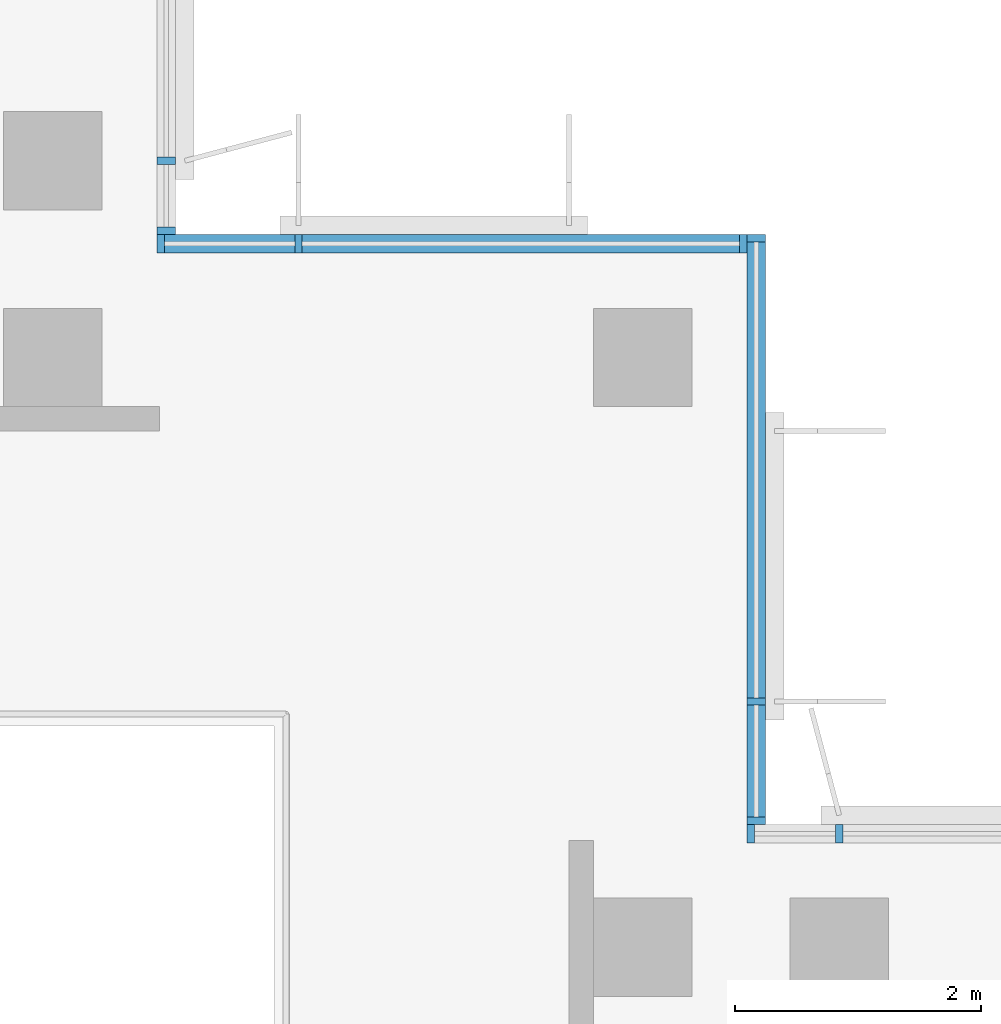
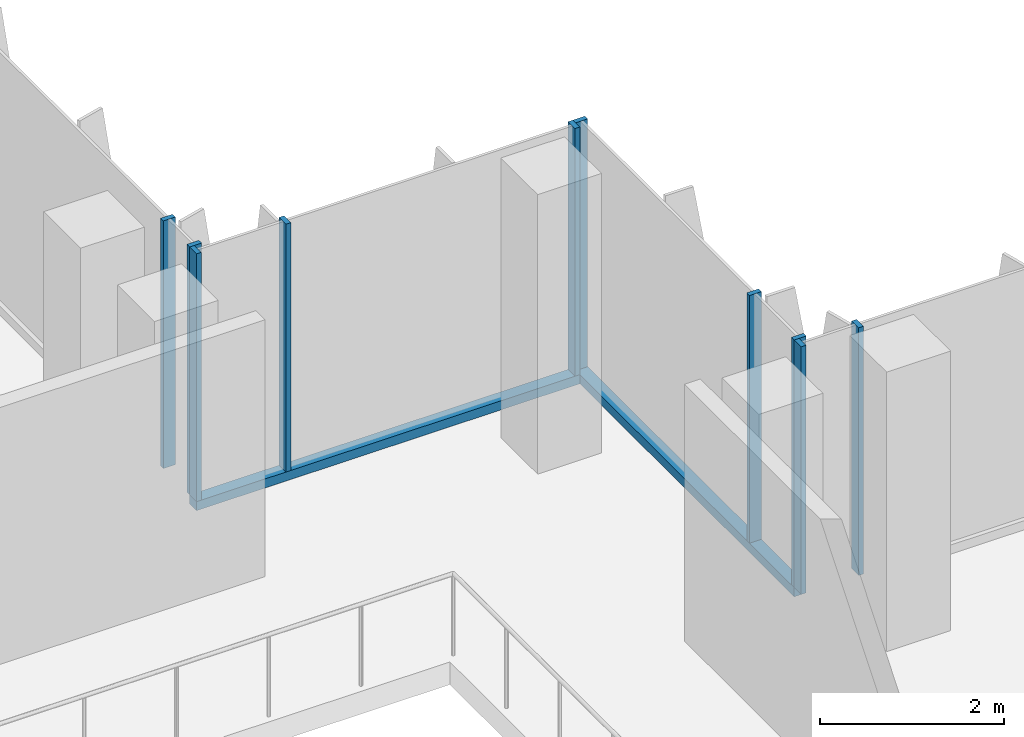
# One storey, part 2 of 15: 12 members, 4 elements without a shape of their own.
"""IFC4 building model written with IfcOpenShell, lengths in metres."""

from ifc_helpers import new_model, si_unit, direction, frame, origin, origin_2d, place, context, subcontext, project, spatial, rectangle, extrude, source, transform, mapped, material, material_profile, profile_set, type_object, element, aggregate, save


model = new_model("IFC4")

# Units and contexts
model_context = context("Model", 3, precision=1e-05, world=origin(), true_north=direction((0.0, 1.0)))
body_context = subcontext(model_context, "Body", "Model", "MODEL_VIEW")
ifc_project = project(units=[si_unit("LENGTHUNIT", "METRE"), si_unit("AREAUNIT", "SQUARE_METRE"), si_unit("VOLUMEUNIT", "CUBIC_METRE"), si_unit("PLANEANGLEUNIT", "RADIAN"), si_unit("MASSUNIT", "GRAM", prefix="KILO")], contexts=[model_context])

# Site, building, storey
site_placement = place(None, origin())
site = spatial("IfcSite", under=ifc_project, at=site_placement, CompositionType="ELEMENT")
building_placement = place(site_placement, origin())
building = spatial("IfcBuilding", under=site, at=building_placement, Name="Kemantara Hotel Tower", CompositionType="ELEMENT")
storey_placement = place(building_placement, frame((0.0, 0.0, 275.89990234375)))
storey = spatial("IfcBuildingStorey", under=building, at=storey_placement, Name="L69", CompositionType="ELEMENT", Elevation=275.89990234375)

# Curtain wall, member
ifc_material_1 = material(Name="Low-E tinted double insulated glass 36 mm", Category="glass")
curtain_wall_type = type_object("IfcCurtainWallType", Name="TOWER CURTAIN WALL, FRONT FACES", PredefinedType="USERDEFINED", material=ifc_material_1)
curtain_wall_1_placement = place(storey_placement, origin())
curtain_wall_1 = element("IfcCurtainWall", 1, at=curtain_wall_1_placement, inside=storey, type_object=curtain_wall_type, Name="CW4 L69 T4-R13-1", ObjectType="TOWER CURTAIN WALL, FRONT FACES", PredefinedType="USERDEFINED")
ifc_material_2 = material(Name="Aluminium 6063-T6 bronze anodised", Category="aluminium")
ifc_material_profile_1 = material_profile(ifc_material_2, rectangle(XDim=0.14990234375, YDim=0.1201171875, at=origin_2d()), Name="TOWER CURTAIN WALL, FRONT FACES TRANSOM")
ifc_profile_set_1 = profile_set([ifc_material_profile_1], Name="Aluminium 6063-T6 bronze anodised")
member_type_1 = type_object("IfcMemberType", Name="TOWER CURTAIN WALL, FRONT FACES TRANSOM", PredefinedType="USERDEFINED", material=ifc_profile_set_1)
member_1_placement = place(storey_placement, frame((26.72509765625, 22.0, 0.06005859375), z_axis=(0.0, 1.0, 0.0), x_axis=(-1.0, 0.0, 0.0)))
member_1 = element("IfcMember", 2, at=member_1_placement, type_object=member_type_1, Name="CW4 sill transom T4-R13-1", ObjectType="TRANSOM", PredefinedType="USERDEFINED", context=body_context, shape_type="SweptSolid", body=[
    extrude(rectangle(XDim=0.14990234375, YDim=0.1201171875, at=origin_2d()), origin(), (0.0, 0.0, 1.0), 4.800048828125),
])

curtain_wall_2_placement = place(storey_placement, origin())
curtain_wall_2 = element("IfcCurtainWall", 3, at=curtain_wall_2_placement, inside=storey, type_object=curtain_wall_type, Name="CW4 L69 T4-R14-1", ObjectType="TOWER CURTAIN WALL, FRONT FACES", PredefinedType="USERDEFINED")
member_2_placement = place(storey_placement, frame((26.64990234375, 26.72509765625, 0.06005859375), z_axis=(-1.0, 0.0, 0.0), x_axis=(0.0, -1.0, 0.0)))
member_2 = element("IfcMember", 4, at=member_2_placement, type_object=member_type_1, Name="CW4 sill transom T4-R14-1", ObjectType="TRANSOM", PredefinedType="USERDEFINED", context=body_context, shape_type="SweptSolid", body=[
    extrude(rectangle(XDim=0.14990234375, YDim=0.1201171875, at=origin_2d()), origin(), (0.0, 0.0, 1.0), 4.7998046875),
])

# Curtain wall, members
curtain_wall_3_placement = place(storey_placement, origin())
curtain_wall_3 = element("IfcCurtainWall", 5, at=curtain_wall_3_placement, inside=storey, type_object=curtain_wall_type, Name="CW4 L69 T4-R12-1", ObjectType="TOWER CURTAIN WALL, FRONT FACES", PredefinedType="USERDEFINED")
ifc_material_profile_2 = material_profile(ifc_material_2, rectangle(XDim=0.14990234375, YDim=0.06005859375, at=origin_2d()), Name="TOWER CURTAIN WALL, FRONT FACES MULLION")
ifc_profile_set_2 = profile_set([ifc_material_profile_2], Name="Aluminium 6063-T6 bronze anodised")
member_type_2 = type_object("IfcMemberType", Name="TOWER CURTAIN WALL, FRONT FACES MULLION", PredefinedType="MULLION", material=ifc_profile_set_2)
shared_shape = source(origin(), body_context, "Body", "SweptSolid", [
    extrude(rectangle(XDim=0.14990234375, YDim=0.06005859375, at=origin_2d()), origin(), (0.0, 0.0, 1.0), 3.280029296875),
])
member_3_placement = place(storey_placement, frame((27.39990234375, 21.925048828125, 0.1201171875), z_axis=(0.0, 0.0, 1.0), x_axis=(0.0, -1.0, 0.0)))
member_3 = element("IfcMember", 6, at=member_3_placement, type_object=member_type_2, Name="CW4 mullion T4-R12-1.5", PredefinedType="MULLION", context=body_context, shape_type="MappedRepresentation", body=[
    mapped(shared_shape, transform((0.0, 0.0, 0.0))),
])
member_4_placement = place(storey_placement, frame((26.679931640625, 21.925048828125, 0.1201171875), z_axis=(0.0, 0.0, 1.0), x_axis=(0.0, -1.0, 0.0)))
member_4 = element("IfcMember", 7, at=member_4_placement, type_object=member_type_2, Name="CW4 mullion T4-R12-1.6", PredefinedType="MULLION", context=body_context, shape_type="MappedRepresentation", body=[
    mapped(shared_shape, transform((0.0, 0.0, 0.0))),
])
aggregate(curtain_wall_3, [member_3, member_4])

# Member
member_5_placement = place(storey_placement, frame((26.72509765625, 22.030029296875, 0.1201171875), z_axis=(0.0, 0.0, 1.0), x_axis=(-1.0, 0.0, 0.0)))
member_5 = element("IfcMember", 8, at=member_5_placement, type_object=member_type_2, Name="CW4 mullion T4-R13-1.1", PredefinedType="MULLION", context=body_context, shape_type="MappedRepresentation", body=[
    mapped(shared_shape, transform((0.0, 0.0, 0.0))),
])

member_6_placement = place(storey_placement, frame((26.72509765625, 23.0, 0.1201171875), z_axis=(0.0, 0.0, 1.0), x_axis=(-1.0, 0.0, 0.0)))
member_6 = element("IfcMember", 9, at=member_6_placement, type_object=member_type_2, Name="CW4 mullion T4-R13-1.2", PredefinedType="MULLION", context=body_context, shape_type="MappedRepresentation", body=[
    mapped(shared_shape, transform((0.0, 0.0, 0.0))),
])

member_7_placement = place(storey_placement, frame((26.72509765625, 26.77001953125, 0.1201171875), z_axis=(0.0, 0.0, 1.0), x_axis=(-1.0, 0.0, 0.0)))
member_7 = element("IfcMember", 10, at=member_7_placement, type_object=member_type_2, Name="CW4 mullion T4-R13-1.3", PredefinedType="MULLION", context=body_context, shape_type="MappedRepresentation", body=[
    mapped(shared_shape, transform((0.0, 0.0, 0.0))),
])

aggregate(curtain_wall_1, [member_1, member_5, member_6, member_7])

member_8_placement = place(storey_placement, frame((26.6201171875, 26.72509765625, 0.1201171875), z_axis=(0.0, 0.0, 1.0), x_axis=(0.0, -1.0, 0.0)))
member_8 = element("IfcMember", 11, at=member_8_placement, type_object=member_type_2, Name="CW4 mullion T4-R14-1.1", PredefinedType="MULLION", context=body_context, shape_type="MappedRepresentation", body=[
    mapped(shared_shape, transform((0.0, 0.0, 0.0))),
])

member_9_placement = place(storey_placement, frame((23.0, 26.72509765625, 0.1201171875), z_axis=(0.0, 0.0, 1.0), x_axis=(0.0, -1.0, 0.0)))
member_9 = element("IfcMember", 12, at=member_9_placement, type_object=member_type_2, Name="CW4 mullion T4-R14-1.2", PredefinedType="MULLION", context=body_context, shape_type="MappedRepresentation", body=[
    mapped(shared_shape, transform((0.0, 0.0, 0.0))),
])

member_10_placement = place(storey_placement, frame((21.8798828125, 26.72509765625, 0.1201171875), z_axis=(0.0, 0.0, 1.0), x_axis=(0.0, -1.0, 0.0)))
member_10 = element("IfcMember", 13, at=member_10_placement, type_object=member_type_2, Name="CW4 mullion T4-R14-1.3", PredefinedType="MULLION", context=body_context, shape_type="MappedRepresentation", body=[
    mapped(shared_shape, transform((0.0, 0.0, 0.0))),
])

aggregate(curtain_wall_2, [member_2, member_8, member_9, member_10])

# Curtain wall, members
curtain_wall_4_placement = place(storey_placement, origin())
curtain_wall_4 = element("IfcCurtainWall", 14, at=curtain_wall_4_placement, inside=storey, type_object=curtain_wall_type, Name="CW4 L69 T4-R15-1", ObjectType="TOWER CURTAIN WALL, FRONT FACES", PredefinedType="USERDEFINED")
member_11_placement = place(storey_placement, frame((21.925048828125, 26.830078125, 0.1201171875), z_axis=(0.0, 0.0, 1.0), x_axis=(-1.0, 0.0, 0.0)))
member_11 = element("IfcMember", 15, at=member_11_placement, type_object=member_type_2, Name="CW4 mullion T4-R15-1.1", PredefinedType="MULLION", context=body_context, shape_type="MappedRepresentation", body=[
    mapped(shared_shape, transform((0.0, 0.0, 0.0))),
])
member_12_placement = place(storey_placement, frame((21.925048828125, 27.39990234375, 0.1201171875), z_axis=(0.0, 0.0, 1.0), x_axis=(-1.0, 0.0, 0.0)))
member_12 = element("IfcMember", 16, at=member_12_placement, type_object=member_type_2, Name="CW4 mullion T4-R15-1.2", PredefinedType="MULLION", context=body_context, shape_type="MappedRepresentation", body=[
    mapped(shared_shape, transform((0.0, 0.0, 0.0))),
])
aggregate(curtain_wall_4, [member_11, member_12])

save(model, "model.ifc")
